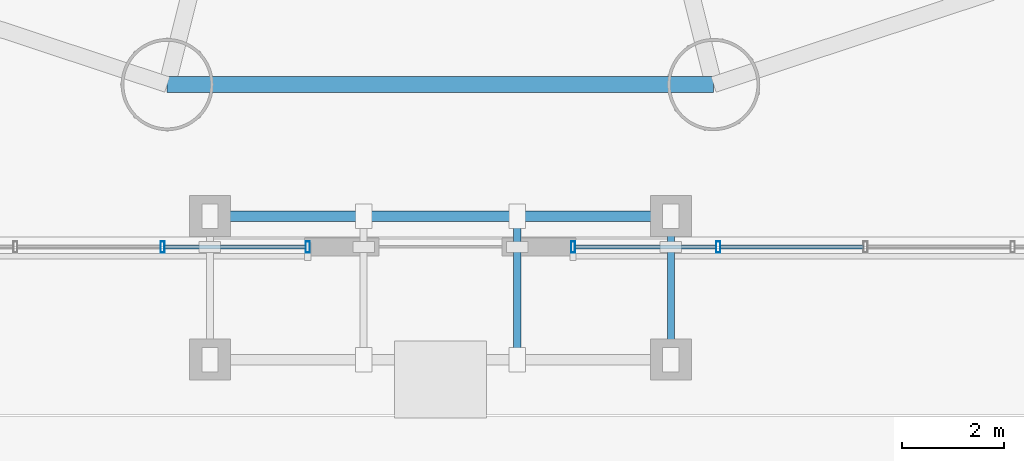
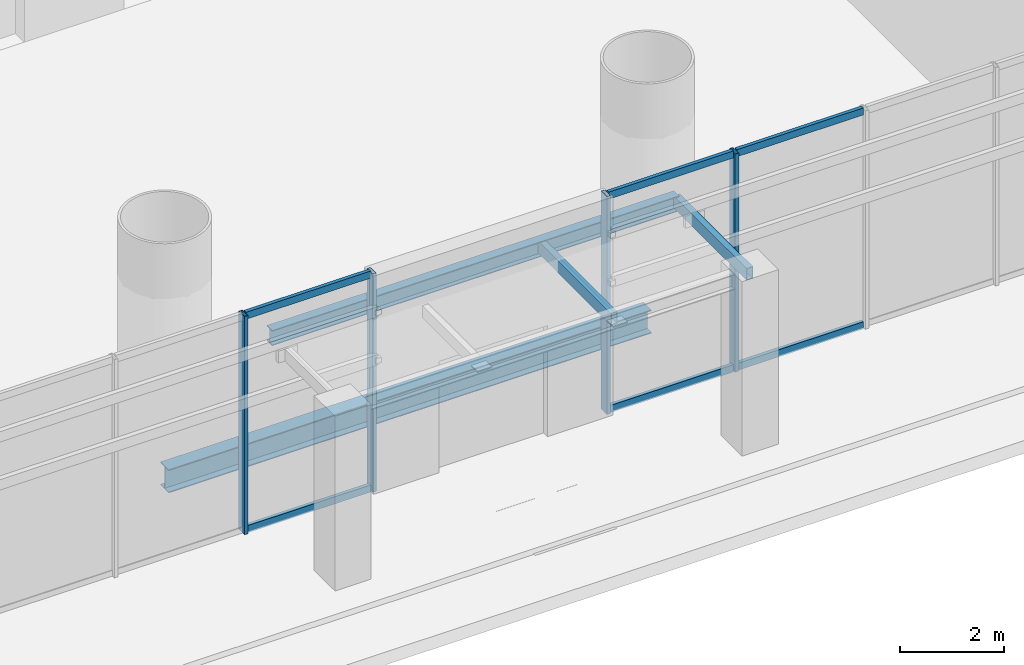
# One storey, part 4 of 25: 12 members, 2 beams, 2 elements without a shape of their own.
"""IFC4 building model written with IfcOpenShell, lengths in metres."""

from ifc_helpers import new_model, si_unit, direction, frame, origin, origin_2d, place, context, subcontext, project, spatial, hollow_rectangle, i_section, extrude, source, transform, mapped, material, material_profile, profile_set, type_object, element, aggregate, save


model = new_model("IFC4")

# Units and contexts
model_context = context("Model", 3, precision=1e-05, world=origin(), true_north=direction((-0.2419218956, 0.970295726276)))
body_context = subcontext(model_context, "Body", "Model", "MODEL_VIEW")
ifc_project = project(units=[si_unit("LENGTHUNIT", "METRE"), si_unit("AREAUNIT", "SQUARE_METRE"), si_unit("VOLUMEUNIT", "CUBIC_METRE"), si_unit("PLANEANGLEUNIT", "RADIAN"), si_unit("MASSUNIT", "GRAM", prefix="KILO")], contexts=[model_context])

# Site, building, storey
site_placement = place(None, origin())
site = spatial("IfcSite", under=ifc_project, at=site_placement, CompositionType="ELEMENT")
building_placement = place(site_placement, origin())
building = spatial("IfcBuilding", under=site, at=building_placement, Name="Cobrevalo Terracotta Tower", CompositionType="ELEMENT")
storey_placement = place(building_placement, origin())
storey = spatial("IfcBuildingStorey", under=building, at=storey_placement, Name="L00", CompositionType="ELEMENT", Elevation=0.0)

# Beams
ifc_material_1 = material(Name="Steel S355", Category="steel")
ifc_material_profile_1 = material_profile(ifc_material_1, i_section(OverallWidth=0.205078125, OverallDepth=0.35400390625, WebThickness=0.009521484375, FlangeThickness=0.016845703125, at=origin_2d()), Name="W 360x79")
ifc_profile_set_1 = profile_set([ifc_material_profile_1], Name="Steel S355")
beam_type_1 = type_object("IfcBeamType", Name="Structural Spandrel W 360x79 (Steel S355)", PredefinedType="SPANDREL", material=ifc_profile_set_1)
beam_1_placement = place(storey_placement, frame((33.5, 2.800048828125, 3.889892578125), z_axis=(1.0, 0.0, 0.0), x_axis=(0.0, 1.0, 0.0)))
element("IfcBeam", 1, at=beam_1_placement, inside=storey, type_object=beam_type_1, Name="L00 main entrance portal tie beam", PredefinedType="SPANDREL", context=body_context, shape_type="SweptSolid", body=[
    extrude(i_section(OverallWidth=0.205078125, OverallDepth=0.35400390625, WebThickness=0.009521484375, FlangeThickness=0.016845703125, at=origin_2d()), origin(), (0.0, 0.0, 1.0), 9.0),
])
ifc_material_profile_2 = material_profile(ifc_material_1, i_section(OverallWidth=0.31201171875, OverallDepth=0.54296875, WebThickness=0.0126953125, FlangeThickness=0.020263671875, at=origin_2d()), Name="W 530x150")
ifc_profile_set_2 = profile_set([ifc_material_profile_2], Name="Steel S355")
beam_type_2 = type_object("IfcBeamType", Name="Structural Spandrel W 530x150 (Steel S355)", PredefinedType="SPANDREL", material=ifc_profile_set_2)
beam_2_placement = place(storey_placement, frame((32.664306640625, 5.369873046875, -0.69140625), z_axis=(1.0, 0.0, 0.0), x_axis=(0.0, 1.0, 0.0)))
element("IfcBeam", 2, at=beam_2_placement, inside=storey, type_object=beam_type_2, Name="L00 perimeter ring spandrel 12", PredefinedType="SPANDREL", context=body_context, shape_type="SweptSolid", body=[
    extrude(i_section(OverallWidth=0.31201171875, OverallDepth=0.54296875, WebThickness=0.0126953125, FlangeThickness=0.020263671875, at=origin_2d()), origin(), (0.0, 0.0, 1.0), 10.67138671875),
])

# Curtain wall, members
ifc_material_2 = material(Name="Anodized aluminium", Category="aluminium")
curtain_wall_type = type_object("IfcCurtainWallType", Name="Double-height storefront stick curtain wall CW-S1", PredefinedType="NOTDEFINED", material=ifc_material_2)
curtain_wall_1_placement = place(storey_placement, origin())
curtain_wall_1 = element("IfcCurtainWall", 3, at=curtain_wall_1_placement, inside=storey, type_object=curtain_wall_type, Name="L00 curtain wall CW-L00-S-LOB1", PredefinedType="NOTDEFINED")
ifc_material_profile_3 = material_profile(ifc_material_2, hollow_rectangle(XDim=0.080078125, YDim=0.219970703125, WallThickness=0.0048828125, at=origin_2d()), Name="CWM 80x220")
ifc_profile_set_3 = profile_set([ifc_material_profile_3], Name="Anodized aluminium")
member_type_1 = type_object("IfcMemberType", Name="Storefront & atrium aluminium mullion 80x220", PredefinedType="MULLION", material=ifc_profile_set_3)
shared_shape_1 = source(origin(), body_context, "Body", "SweptSolid", [
    extrude(hollow_rectangle(XDim=0.080078125, YDim=0.219970703125, WallThickness=0.0048828125, at=origin_2d()), origin(), (0.0, 0.0, 1.0), 5.10009765625),
])
member_1_placement = place(storey_placement, frame((32.574951171875, 2.199951171875, 0.0), z_axis=(0.0, 0.0, 1.0), x_axis=(1.0, 0.0, 0.0)))
member_1 = element("IfcMember", 4, at=member_1_placement, type_object=member_type_1, Name="CW-L00-S-LOB1 vertical mullion 04", PredefinedType="MULLION", context=body_context, shape_type="MappedRepresentation", body=[
    mapped(shared_shape_1, transform((0.0, 0.0, 0.0), scale=1.0)),
])
member_2_placement = place(storey_placement, frame((35.409912109375, 2.199951171875, 0.0), z_axis=(0.0, 0.0, 1.0), x_axis=(1.0, 0.0, 0.0)))
member_2 = element("IfcMember", 5, at=member_2_placement, type_object=member_type_1, Name="CW-L00-S-LOB1 vertical mullion 05", PredefinedType="MULLION", context=body_context, shape_type="MappedRepresentation", body=[
    mapped(shared_shape_1, transform((0.0, 0.0, 0.0), scale=1.0)),
])

curtain_wall_2_placement = place(storey_placement, origin())
curtain_wall_2 = element("IfcCurtainWall", 6, at=curtain_wall_2_placement, inside=storey, type_object=curtain_wall_type, Name="L00 curtain wall CW-L00-S-LOB2", PredefinedType="NOTDEFINED")
member_3_placement = place(storey_placement, frame((40.590087890625, 2.199951171875, 0.0), z_axis=(0.0, 0.0, 1.0), x_axis=(1.0, 0.0, 0.0)))
member_3 = element("IfcMember", 7, at=member_3_placement, type_object=member_type_1, Name="CW-L00-S-LOB2 vertical mullion 01", PredefinedType="MULLION", context=body_context, shape_type="MappedRepresentation", body=[
    mapped(shared_shape_1, transform((0.0, 0.0, 0.0), scale=1.0)),
])
member_4_placement = place(storey_placement, frame((43.425048828125, 2.199951171875, 0.0), z_axis=(0.0, 0.0, 1.0), x_axis=(1.0, 0.0, 0.0)))
member_4 = element("IfcMember", 8, at=member_4_placement, type_object=member_type_1, Name="CW-L00-S-LOB2 vertical mullion 02", PredefinedType="MULLION", context=body_context, shape_type="MappedRepresentation", body=[
    mapped(shared_shape_1, transform((0.0, 0.0, 0.0), scale=1.0)),
])
ifc_material_profile_4 = material_profile(ifc_material_2, hollow_rectangle(XDim=0.080078125, YDim=0.1650390625, WallThickness=0.00439453125, at=origin_2d()), Name="CWT 80x165")
ifc_profile_set_4 = profile_set([ifc_material_profile_4], Name="Anodized aluminium")
member_type_2 = type_object("IfcMemberType", Name="Storefront & atrium aluminium transom 80x165", PredefinedType="USERDEFINED", material=ifc_profile_set_4)
shared_shape_2 = source(origin(), body_context, "Body", "SweptSolid", [
    extrude(hollow_rectangle(XDim=0.080078125, YDim=0.1650390625, WallThickness=0.00439453125, at=origin_2d()), origin(), (0.0, 0.0, 1.0), 2.794921875),
])
member_5_placement = place(storey_placement, frame((43.465087890625, 2.199951171875, 0.050048828125), z_axis=(1.0, 0.0, 0.0), x_axis=(0.0, 1.0, 0.0)))
member_5 = element("IfcMember", 9, at=member_5_placement, type_object=member_type_2, Name="CW-L00-S-LOB2 transom B02-T1", ObjectType="TRANSOM", PredefinedType="USERDEFINED", context=body_context, shape_type="MappedRepresentation", body=[
    mapped(shared_shape_2, transform((0.0, 0.0, 0.0), scale=1.0)),
])
member_6_placement = place(storey_placement, frame((43.465087890625, 2.199951171875, 5.050048828125), z_axis=(1.0, 0.0, 0.0), x_axis=(0.0, 1.0, 0.0)))
member_6 = element("IfcMember", 10, at=member_6_placement, type_object=member_type_2, Name="CW-L00-S-LOB2 transom B02-T2", ObjectType="TRANSOM", PredefinedType="USERDEFINED", context=body_context, shape_type="MappedRepresentation", body=[
    mapped(shared_shape_2, transform((0.0, 0.0, 0.0), scale=1.0)),
])

# Member
shared_shape_3 = source(origin(), body_context, "Body", "SweptSolid", [
    extrude(hollow_rectangle(XDim=0.080078125, YDim=0.1650390625, WallThickness=0.00439453125, at=origin_2d()), origin(), (0.0, 0.0, 1.0), 2.755126953125),
])
member_7_placement = place(storey_placement, frame((32.614990234375, 2.199951171875, 0.050048828125), z_axis=(1.0, 0.0, 0.0), x_axis=(0.0, 1.0, 0.0)))
member_7 = element("IfcMember", 11, at=member_7_placement, type_object=member_type_2, Name="CW-L00-S-LOB1 transom B04-T1", ObjectType="TRANSOM", PredefinedType="USERDEFINED", context=body_context, shape_type="MappedRepresentation", body=[
    mapped(shared_shape_3, transform((0.0, 0.0, 0.0), scale=1.0)),
])

member_8_placement = place(storey_placement, frame((32.614990234375, 2.199951171875, 5.050048828125), z_axis=(1.0, 0.0, 0.0), x_axis=(0.0, 1.0, 0.0)))
member_8 = element("IfcMember", 12, at=member_8_placement, type_object=member_type_2, Name="CW-L00-S-LOB1 transom B04-T2", ObjectType="TRANSOM", PredefinedType="USERDEFINED", context=body_context, shape_type="MappedRepresentation", body=[
    mapped(shared_shape_3, transform((0.0, 0.0, 0.0), scale=1.0)),
])

aggregate(curtain_wall_1, [member_1, member_2, member_7, member_8])

member_9_placement = place(storey_placement, frame((40.6298828125, 2.199951171875, 0.050048828125), z_axis=(1.0, 0.0, 0.0), x_axis=(0.0, 1.0, 0.0)))
member_9 = element("IfcMember", 13, at=member_9_placement, type_object=member_type_2, Name="CW-L00-S-LOB2 transom B01-T1", ObjectType="TRANSOM", PredefinedType="USERDEFINED", context=body_context, shape_type="MappedRepresentation", body=[
    mapped(shared_shape_3, transform((0.0, 0.0, 0.0), scale=1.0)),
])

member_10_placement = place(storey_placement, frame((40.6298828125, 2.199951171875, 5.050048828125), z_axis=(1.0, 0.0, 0.0), x_axis=(0.0, 1.0, 0.0)))
member_10 = element("IfcMember", 14, at=member_10_placement, type_object=member_type_2, Name="CW-L00-S-LOB2 transom B01-T2", ObjectType="TRANSOM", PredefinedType="USERDEFINED", context=body_context, shape_type="MappedRepresentation", body=[
    mapped(shared_shape_3, transform((0.0, 0.0, 0.0), scale=1.0)),
])

aggregate(curtain_wall_2, [member_3, member_4, member_9, member_10, member_5, member_6])

# Members
ifc_material_profile_5 = material_profile(ifc_material_2, hollow_rectangle(XDim=0.139892578125, YDim=0.280029296875, WallThickness=0.010009765625, at=origin_2d()), Name="CANOPY OUTRIGGER 140x280")
ifc_profile_set_5 = profile_set([ifc_material_profile_5], Name="Anodized aluminium")
member_type_3 = type_object("IfcMemberType", Name="Entrance canopy structural aluminium outrigger 140x280 mm", PredefinedType="USERDEFINED", material=ifc_profile_set_5)
shared_shape_4 = source(origin(), body_context, "Body", "SweptSolid", [
    extrude(hollow_rectangle(XDim=0.139892578125, YDim=0.280029296875, WallThickness=0.010009765625, at=origin_2d()), origin(), (0.0, 0.0, 1.0), 2.800048828125),
])
for number, where, z_axis, x_axis, name in (
    (15, (39.5, 2.800048828125, 3.889892578125), (0.0, -1.0, 0.0), (1.0, 0.0, 0.0), "L00 main entrance canopy outrigger 3"),
    (16, (42.5, 2.800048828125, 3.889892578125), (0.0, -1.0, 0.0), (1.0, 0.0, 0.0), "L00 main entrance canopy outrigger 4"),
):
    element("IfcMember", number, at=place(storey_placement, frame(where, z_axis=z_axis, x_axis=x_axis)), inside=storey, type_object=member_type_3, Name=name, ObjectType="CANOPY_BEAM", PredefinedType="USERDEFINED", context=body_context, shape_type="MappedRepresentation", body=[
        mapped(shared_shape_4, transform((0.0, 0.0, 0.0), scale=1.0)),
    ])

save(model, "model.ifc")
